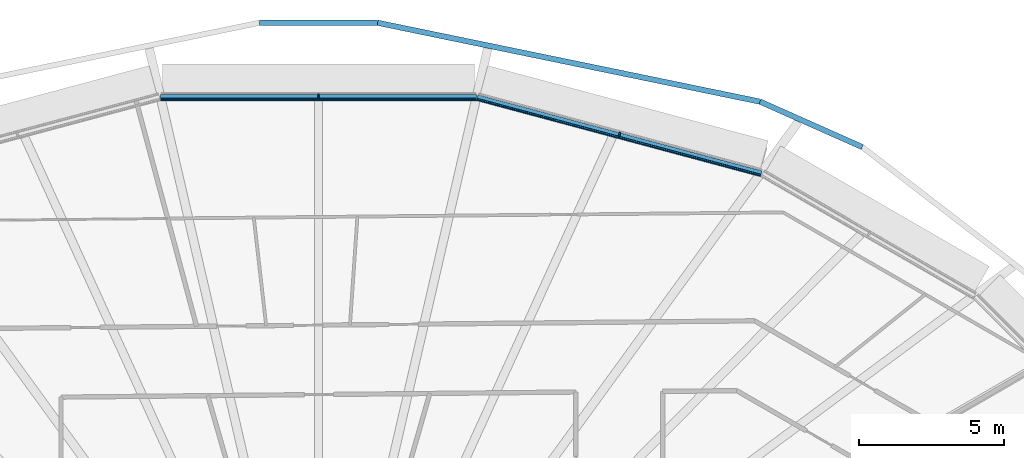
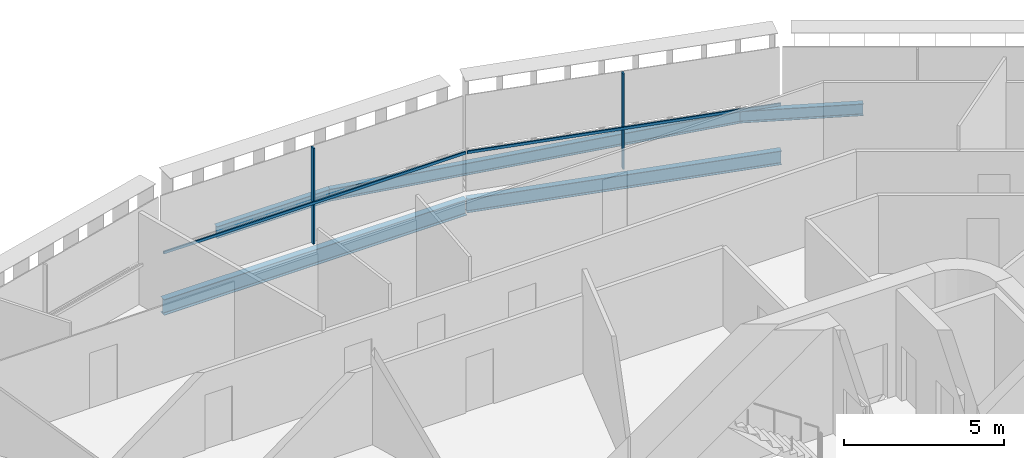
# One storey, part 11 of 26: 5 beams, 4 members, 2 elements without a shape of their own.
"""IFC4 building model written with IfcOpenShell, lengths in metres."""

import ifcopenshell
import ifcopenshell.guid

model = None  # the IFC model being written
_history = None  # IfcOwnerHistory: only IFC2X3 demands one
_inside = {}  # id of a spatial element -> (the spatial element, [elements in it])
_under = {}  # id of a project, library or spatial element -> (it, [spatial elements below it])
_declared = {}  # id of a project -> (the project, [libraries it declares])
_typed = {}  # id of a type object -> (the type object, [elements of that type])
_made_of = {}  # id of a material, layer set ... -> (it, [elements and type objects made of it])


def new_model(schema):
    """Start an empty IFC model of exactly this schema.

    Asked for "IFC4X3", IfcOpenShell would pick the latest addendum, in which some entities
    have other attributes; the version numbers below select the first issue.
    IFC2X3 requires an IfcOwnerHistory on every rooted entity: one is made here for all.
    """
    global model, _history
    if schema == "IFC4X3":
        model = ifcopenshell.file(schema_version=(4, 3, 0, 0))
    else:
        model = ifcopenshell.file(schema=schema)
    _inside.clear()
    _under.clear()
    _declared.clear()
    _typed.clear()
    _made_of.clear()
    _history = None
    if model.schema == "IFC2X3":
        org = make("IfcOrganization", Name="unknown")
        user = make(
            "IfcPersonAndOrganization",
            ThePerson=make("IfcPerson", FamilyName="unknown"),
            TheOrganization=org,
        )
        app = make(
            "IfcApplication",
            ApplicationDeveloper=org,
            Version="unknown",
            ApplicationFullName="unknown",
            ApplicationIdentifier="unknown",
        )
        _history = make(
            "IfcOwnerHistory",
            OwningUser=user,
            OwningApplication=app,
            ChangeAction="ADDED",
            CreationDate=0,
        )
    return model


def make(cls, **values):
    """One entity of the class cls with the attributes given. An attribute that is None is left unset."""
    return model.create_entity(
        cls, **{name: value for name, value in values.items() if value is not None}
    )


def rooted(cls, **values):
    """An entity with a GlobalId (a new one), such as an element, a storey or a relation."""
    return make(cls, GlobalId=ifcopenshell.guid.new(), OwnerHistory=_history, **values)


def si_unit(unit_type, name, prefix=None):
    """IfcSIUnit, for example si_unit("LENGTHUNIT", "METRE", prefix="MILLI")."""
    return make("IfcSIUnit", UnitType=unit_type, Prefix=prefix, Name=name)


def assignment(units):
    """IfcUnitAssignment: the units of a project."""
    return None if units is None else make("IfcUnitAssignment", Units=units)


def point(xyz):
    """IfcCartesianPoint."""
    return None if xyz is None else make("IfcCartesianPoint", Coordinates=xyz)


def direction(xyz):
    """IfcDirection."""
    return None if xyz is None else make("IfcDirection", DirectionRatios=xyz)


def frame(location, z_axis=None, x_axis=None):
    """IfcAxis2Placement3D, a coordinate frame: its origin and axes. An axis left out is left unset."""
    return make(
        "IfcAxis2Placement3D",
        Location=point(location),
        Axis=direction(z_axis),
        RefDirection=direction(x_axis),
    )


def frame_2d(location, x_axis=None):
    """IfcAxis2Placement2D, a coordinate frame in the plane: its origin and x axis."""
    return make(
        "IfcAxis2Placement2D", Location=point(location), RefDirection=direction(x_axis)
    )


def origin():
    """The frame at (0, 0, 0) with its axes left unset."""
    return frame((0.0, 0.0, 0.0))


def origin_2d():
    """The frame at (0, 0) in the plane with its x axis left unset."""
    return frame_2d((0.0, 0.0))


def place(relative_to, where):
    """IfcLocalPlacement: puts the frame where relative to a parent placement (None: the world)."""
    return make(
        "IfcLocalPlacement", PlacementRelTo=relative_to, RelativePlacement=where
    )


def context(
    kind, dimensions, precision=None, world=None, true_north=None, identifier=None
):
    """IfcGeometricRepresentationContext, for example the 3D "Model" context."""
    return make(
        "IfcGeometricRepresentationContext",
        ContextIdentifier=identifier,
        ContextType=kind,
        CoordinateSpaceDimension=dimensions,
        Precision=precision,
        WorldCoordinateSystem=world,
        TrueNorth=true_north,
    )


def subcontext(parent, identifier, kind, view, scale=None):
    """IfcGeometricRepresentationSubContext, for example "Body" below "Model"."""
    return make(
        "IfcGeometricRepresentationSubContext",
        ContextIdentifier=identifier,
        ContextType=kind,
        ParentContext=parent,
        TargetScale=scale,
        TargetView=view,
    )


def project(units=None, contexts=None):
    """IfcProject with its units and contexts."""
    return rooted(
        "IfcProject",
        Name="project",
        RepresentationContexts=contexts,
        UnitsInContext=assignment(units),
    )


def spatial(cls, under=None, at=None, **own):
    """A site, building, storey or space (cls), placed at a placement, below another one or the project."""
    s = rooted(cls, ObjectPlacement=at, **own)
    if under is not None:
        _under.setdefault(under.id(), (under, []))[1].append(s)
    return s


def profile(cls, at=None, kind="AREA", **sizes):
    """A parametric profile (cls). Its sizes go by their IFC names, for example OverallWidth=200.0."""
    return make(cls, ProfileType=kind, Position=at, **sizes)


def rectangle(**sizes):
    """IfcRectangleProfileDef."""
    return profile("IfcRectangleProfileDef", **sizes)


def i_section(**sizes):
    """IfcIShapeProfileDef."""
    return profile("IfcIShapeProfileDef", **sizes)


def extrude(swept, where, along, depth):
    """IfcExtrudedAreaSolid: the profile swept, set in the frame where, extruded along a direction by depth."""
    return make(
        "IfcExtrudedAreaSolid",
        SweptArea=swept,
        Position=where,
        ExtrudedDirection=direction(along),
        Depth=depth,
    )


def shape(context_of_items, identifier, shape_type, items):
    """IfcShapeRepresentation: the items that make up one representation, for example the "Body"."""
    return make(
        "IfcShapeRepresentation",
        ContextOfItems=context_of_items,
        RepresentationIdentifier=identifier,
        RepresentationType=shape_type,
        Items=items,
    )


def material(Name=None, Category=None):
    """IfcMaterial."""
    return make("IfcMaterial", Name=Name, Category=Category)


def layer(
    of_material, thickness, ventilated=None, Name=None, Category=None, Priority=None
):
    """IfcMaterialLayer: one layer of a wall or slab, of a material (None: an air gap)."""
    return make(
        "IfcMaterialLayer",
        Material=of_material,
        LayerThickness=thickness,
        IsVentilated=ventilated,
        Name=Name,
        Category=Category,
        Priority=Priority,
    )


def layer_set(layers, Name=None):
    """IfcMaterialLayerSet."""
    return make("IfcMaterialLayerSet", MaterialLayers=layers, LayerSetName=Name)


def material_profile(
    of_material, cross_section, Name=None, Category=None, Priority=None
):
    """IfcMaterialProfile: a cross section and its material."""
    return make(
        "IfcMaterialProfile",
        Name=Name,
        Material=of_material,
        Profile=cross_section,
        Priority=Priority,
        Category=Category,
    )


def profile_set(profiles, Name=None, composite=None):
    """IfcMaterialProfileSet."""
    return make(
        "IfcMaterialProfileSet",
        Name=Name,
        MaterialProfiles=profiles,
        CompositeProfile=composite,
    )


def made_of(thing, what):
    """Note that an element or type object is made of a material, layer set ...; save() writes the relation."""
    if what is not None:
        _made_of.setdefault(what.id(), (what, []))[1].append(thing)
    return thing


def type_object(cls, material=None, **own):
    """A type object (cls), such as IfcWallType, which elements share."""
    return made_of(rooted(cls, **own), material)


def element(
    cls,
    number,
    at=None,
    inside=None,
    cuts=None,
    type_object=None,
    material=None,
    context=None,
    identifier="Body",
    shape_type=None,
    held_by="IfcProductDefinitionShape",
    body=None,
    shapes=None,
    **own,
):
    """One element of the class cls, such as IfcWall. Its Tag is "e" and its number.

    at: its placement. inside: the storey or other place that contains it. cuts: it is an
    opening in that element (IfcRelVoidsElement). A single representation is given by context,
    identifier, shape_type and body (its items); several are given by shapes. held_by: the class
    of the entity that holds the representations. save() writes the other relations.
    """
    e = rooted(cls, Tag="e%d" % number, ObjectPlacement=at, **own)
    if body is not None:
        shapes = [shape(context, identifier, shape_type, body)]
    if shapes is not None:
        e.Representation = make(held_by, Representations=shapes)
    if inside is not None:
        _inside.setdefault(inside.id(), (inside, []))[1].append(e)
    if cuts is not None:
        rooted(
            "IfcRelVoidsElement", RelatingBuildingElement=cuts, RelatedOpeningElement=e
        )
    if type_object is not None:
        _typed.setdefault(type_object.id(), (type_object, []))[1].append(e)
    return made_of(e, material)


def aggregate(whole, parts):
    """IfcRelAggregates: a whole, such as a stair, and the parts it consists of."""
    return rooted("IfcRelAggregates", RelatingObject=whole, RelatedObjects=parts)


def save(model, path):
    """Write the relations noted so far, then the file.

    IfcRelAggregates (storeys below a building ...), IfcRelContainedInSpatialStructure (elements
    in a storey), IfcRelDefinesByType, IfcRelAssociatesMaterial and IfcRelDeclares: one each for
    every whole, place, type object, material and project.
    """
    for whole, parts in _under.values():
        aggregate(whole, parts)
    for where, things in _inside.values():
        rooted(
            "IfcRelContainedInSpatialStructure",
            RelatedElements=things,
            RelatingStructure=where,
        )
    for kind, things in _typed.values():
        rooted("IfcRelDefinesByType", RelatedObjects=things, RelatingType=kind)
    for what, things in _made_of.values():
        rooted("IfcRelAssociatesMaterial", RelatedObjects=things, RelatingMaterial=what)
    for by, libraries in _declared.values():
        rooted("IfcRelDeclares", RelatingContext=by, RelatedDefinitions=libraries)
    model.write(path)


model = new_model("IFC4")

# Units and contexts
model_context = context("Model", 3, precision=1e-05, world=origin(), true_north=direction((0.0, 1.0)))
body_context = subcontext(model_context, "Body", "Model", "MODEL_VIEW")
ifc_project = project(units=[si_unit("LENGTHUNIT", "METRE"), si_unit("AREAUNIT", "SQUARE_METRE"), si_unit("VOLUMEUNIT", "CUBIC_METRE"), si_unit("PLANEANGLEUNIT", "RADIAN"), si_unit("MASSUNIT", "GRAM", prefix="KILO")], contexts=[model_context])

# Site, building, storey
site_placement = place(None, origin())
site = spatial("IfcSite", under=ifc_project, at=site_placement, CompositionType="ELEMENT")
building_placement = place(site_placement, origin())
building = spatial("IfcBuilding", under=site, at=building_placement, Name="Sahrelin Media Tower", CompositionType="ELEMENT")
storey_placement = place(building_placement, frame((0.0, 0.0, 84.0)))
storey = spatial("IfcBuildingStorey", under=building, at=storey_placement, Name="L15", CompositionType="ELEMENT", Elevation=84.0)

# Beams
ifc_material_1 = material(Name="Steel S355", Category="steel")
ifc_material_profile_1 = material_profile(ifc_material_1, i_section(OverallWidth=0.208740234375, OverallDepth=0.5283203125, WebThickness=0.009521484375, FlangeThickness=0.01318359375, FilletRadius=0.0126953125, at=origin_2d()), Name="UB 533x210x82")
ifc_profile_set_1 = profile_set([ifc_material_profile_1], Name="Steel S355")
beam_type_1 = type_object("IfcBeamType", Name="Edge beam EB6", PredefinedType="BEAM", material=ifc_profile_set_1)
beam_1_placement = place(storey_placement, frame((5.48828125, 23.632568359375, -0.414306640625), z_axis=(0.965923284876, -0.258828529599, 0.0), x_axis=(0.258828529599, 0.965923284876, 0.0)))
element("IfcBeam", 1, at=beam_1_placement, inside=storey, type_object=beam_type_1, Name="Edge beam L15-20", PredefinedType="BEAM", context=body_context, shape_type="SweptSolid", body=[
    extrude(i_section(OverallWidth=0.208740234375, OverallDepth=0.5283203125, WebThickness=0.009521484375, FlangeThickness=0.01318359375, FilletRadius=0.0126953125, at=origin_2d()), origin(), (0.0, 0.0, 1.0), 10.16455078125),
])
ifc_material_profile_2 = material_profile(ifc_material_1, i_section(OverallWidth=0.2275390625, OverallDepth=0.6025390625, WebThickness=0.010498046875, FlangeThickness=0.014892578125, FilletRadius=0.0126953125, at=origin_2d()), Name="UB 610x229x101")
ifc_profile_set_2 = profile_set([ifc_material_profile_2], Name="Steel S355")
beam_type_2 = type_object("IfcBeamType", Name="Edge beam EB7", PredefinedType="BEAM", material=ifc_profile_set_2)
beam_2_placement = place(storey_placement, frame((-5.459716796875, 23.63623046875, -0.451416015625), z_axis=(1.0, 0.0, 0.0), x_axis=(0.0, 1.0, 0.0)))
element("IfcBeam", 2, at=beam_2_placement, inside=storey, type_object=beam_type_2, Name="Edge beam L15-19", PredefinedType="BEAM", context=body_context, shape_type="SweptSolid", body=[
    extrude(i_section(OverallWidth=0.2275390625, OverallDepth=0.6025390625, WebThickness=0.010498046875, FlangeThickness=0.014892578125, FilletRadius=0.0126953125, at=origin_2d()), origin(), (0.0, 0.0, 1.0), 10.91943359375),
])

# Curtain wall, member
ifc_material_2 = material(Name="Champagne anodised aluminium 6063-T6", Category="aluminium")
ifc_layer = layer(ifc_material_2, 0.14990234375)
ifc_layer_set = layer_set([ifc_layer], Name="Tower ribbon curtain wall")
curtain_wall_type = type_object("IfcCurtainWallType", Name="Tower ribbon curtain wall", PredefinedType="NOTDEFINED", material=ifc_layer_set)
curtain_wall_1_placement = place(storey_placement, frame((10.436279296875, 22.462158203125, 0.0), z_axis=(0.0, 0.0, 1.0), x_axis=(1.0, 0.0, 0.0)))
curtain_wall_1 = element("IfcCurtainWall", 3, at=curtain_wall_1_placement, inside=storey, type_object=curtain_wall_type, Name="L15:CW:L15-05", PredefinedType="NOTDEFINED")
ifc_material_profile_3 = material_profile(ifc_material_2, rectangle(XDim=0.06005859375, YDim=0.14990234375, at=origin_2d()), Name="Mullion 60x150")
ifc_profile_set_3 = profile_set([ifc_material_profile_3], Name="Champagne anodised aluminium 6063-T6")
member_type_1 = type_object("IfcMemberType", Name="Mullion 60x150 CW1", PredefinedType="MULLION", material=ifc_profile_set_3)
member_1_placement = place(storey_placement, frame((10.41162109375, 22.370361328125, 0.0), z_axis=(0.0, 0.0, 1.0), x_axis=(-0.965926278012, 0.258817359244, 0.0)))
member_1 = element("IfcMember", 4, at=member_1_placement, type_object=member_type_1, Name="L15:CWM:L15-05", PredefinedType="MULLION", context=body_context, shape_type="SweptSolid", body=[
    extrude(rectangle(XDim=0.06005859375, YDim=0.14990234375, at=origin_2d()), origin(), (0.0, 0.0, 1.0), 3.648681640625),
])

curtain_wall_2_placement = place(storey_placement, frame((0.0, 23.786376953125, 0.0), z_axis=(0.0, 0.0, 1.0), x_axis=(1.0, 0.0, 0.0)))
curtain_wall_2 = element("IfcCurtainWall", 5, at=curtain_wall_2_placement, inside=storey, type_object=curtain_wall_type, Name="L15:CW:L15-06", PredefinedType="NOTDEFINED")
member_2_placement = place(storey_placement, frame((0.0, 23.69140625, 0.0), z_axis=(0.0, 0.0, 1.0), x_axis=(-1.0, 0.0, 0.0)))
member_2 = element("IfcMember", 6, at=member_2_placement, type_object=member_type_1, Name="L15:CWM:L15-06", PredefinedType="MULLION", context=body_context, shape_type="SweptSolid", body=[
    extrude(rectangle(XDim=0.06005859375, YDim=0.14990234375, at=origin_2d()), origin(), (0.0, 0.0, 1.0), 3.648681640625),
])

# Beams
ifc_material_profile_4 = material_profile(ifc_material_1, i_section(OverallWidth=0.1904296875, OverallDepth=0.45703125, WebThickness=0.009033203125, FlangeThickness=0.014404296875, FilletRadius=0.01025390625, at=origin_2d()), Name="UB 457x191x74")
ifc_profile_set_4 = profile_set([ifc_material_profile_4], Name="Steel S355")
beam_type_3 = type_object("IfcBeamType", Name="Tie chord TC5", PredefinedType="BEAM", material=ifc_profile_set_4)
beam_3_placement = place(storey_placement, frame((18.803955078125, 21.927978515625, -0.37841796875), z_axis=(-0.913821963128, 0.406115032601, 0.0), x_axis=(-0.406115032601, -0.913821963128, 0.0)))
element("IfcBeam", 7, at=beam_3_placement, inside=storey, type_object=beam_type_3, Name="Tie chord L15-04", PredefinedType="BEAM", context=body_context, shape_type="SweptSolid", body=[
    extrude(i_section(OverallWidth=0.1904296875, OverallDepth=0.45703125, WebThickness=0.009033203125, FlangeThickness=0.014404296875, FilletRadius=0.01025390625, at=origin_2d()), origin(), (0.0, 0.0, 1.0), 3.86669921875),
])
beam_4_placement = place(storey_placement, frame((15.2705078125, 23.498291015625, -0.37841796875), z_axis=(-0.97938622265, 0.201996601169, 0.0), x_axis=(-0.201996601169, -0.97938622265, 0.0)))
element("IfcBeam", 8, at=beam_4_placement, inside=storey, type_object=beam_type_3, Name="Tie chord L15-05", PredefinedType="BEAM", context=body_context, shape_type="SweptSolid", body=[
    extrude(i_section(OverallWidth=0.1904296875, OverallDepth=0.45703125, WebThickness=0.009033203125, FlangeThickness=0.014404296875, FilletRadius=0.01025390625, at=origin_2d()), origin(), (0.0, 0.0, 1.0), 13.509033203125),
])
beam_5_placement = place(storey_placement, frame((2.0400390625, 26.22705078125, -0.37841796875), z_axis=(-1.0, 0.0, 0.0), x_axis=(0.0, -1.0, 0.0)))
element("IfcBeam", 9, at=beam_5_placement, inside=storey, type_object=beam_type_3, Name="Tie chord L15-06", PredefinedType="BEAM", context=body_context, shape_type="SweptSolid", body=[
    extrude(i_section(OverallWidth=0.1904296875, OverallDepth=0.45703125, WebThickness=0.009033203125, FlangeThickness=0.014404296875, FilletRadius=0.01025390625, at=origin_2d()), origin(), (0.0, 0.0, 1.0), 4.080078125),
])

# Member
ifc_material_profile_5 = material_profile(ifc_material_2, rectangle(XDim=0.050048828125, YDim=0.10009765625, at=origin_2d()), Name="Transom 50x100")
ifc_profile_set_5 = profile_set([ifc_material_profile_5], Name="Champagne anodised aluminium 6063-T6")
member_type_2 = type_object("IfcMemberType", Name="Transom 50x100 CW1", PredefinedType="USERDEFINED", material=ifc_profile_set_5)
member_3_placement = place(storey_placement, frame((15.279541015625, 20.96240234375, 1.60009765625), z_axis=(-0.965927940896, 0.258811153154, 0.0), x_axis=(-0.258811153154, -0.965927940896, 0.0)))
member_3 = element("IfcMember", 10, at=member_3_placement, type_object=member_type_2, Name="L15:CWT:L15-05", ObjectType="TRANSOM", PredefinedType="USERDEFINED", context=body_context, shape_type="SweptSolid", body=[
    extrude(rectangle(XDim=0.050048828125, YDim=0.10009765625, at=origin_2d()), origin(), (0.0, 0.0, 1.0), 10.133056640625),
])

aggregate(curtain_wall_1, [member_1, member_3])

member_4_placement = place(storey_placement, frame((5.444091796875, 23.59130859375, 1.60009765625), z_axis=(-1.0, 0.0, 0.0), x_axis=(0.0, -1.0, 0.0)))
member_4 = element("IfcMember", 11, at=member_4_placement, type_object=member_type_2, Name="L15:CWT:L15-06", ObjectType="TRANSOM", PredefinedType="USERDEFINED", context=body_context, shape_type="SweptSolid", body=[
    extrude(rectangle(XDim=0.050048828125, YDim=0.10009765625, at=origin_2d()), origin(), (0.0, 0.0, 1.0), 10.88818359375),
])

aggregate(curtain_wall_2, [member_2, member_4])

save(model, "model.ifc")
